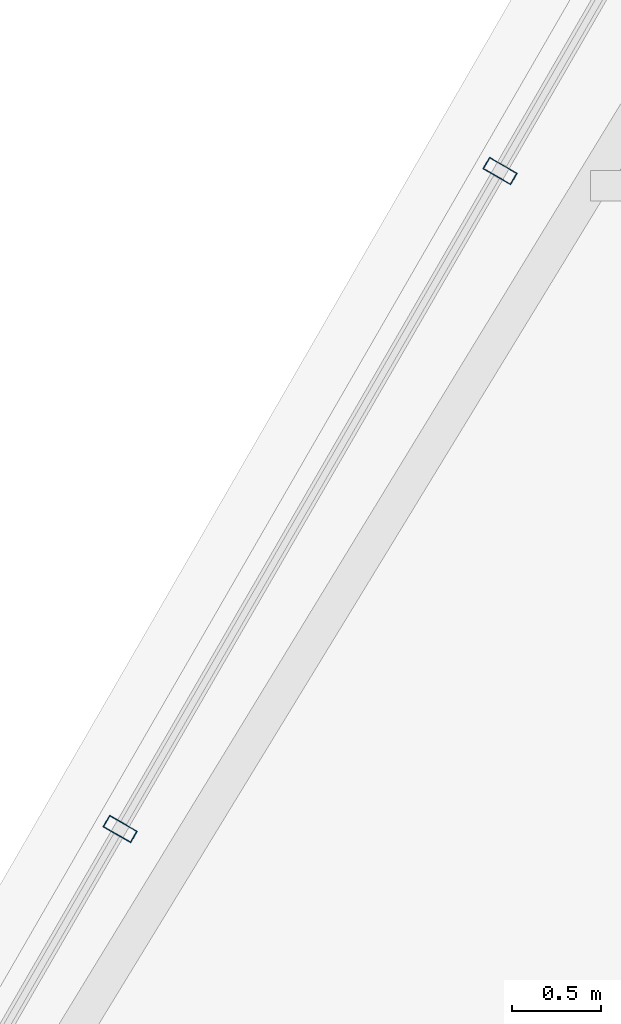
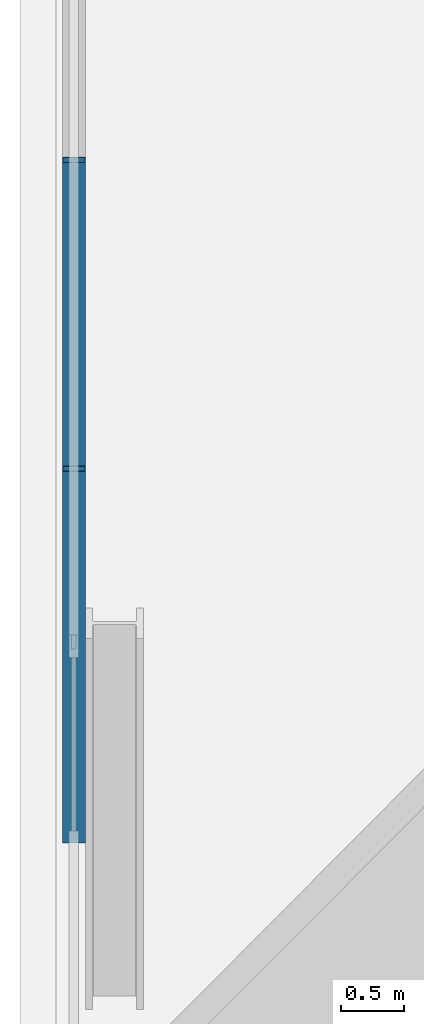
# One storey, part 12 of 34: 2 members, 1 element without a shape of its own.
"""IFC4 building model written with IfcOpenShell, lengths in metres."""

from ifc_helpers import new_model, si_unit, direction, frame, origin, origin_2d, place, context, subcontext, project, spatial, hollow_rectangle, extrude, material, layer, layer_set, material_profile, profile_set, type_object, element, aggregate, save


model = new_model("IFC4")

# Units and contexts
model_context = context("Model", 3, precision=1e-05, world=origin(), true_north=direction((0.0, 1.0)))
body_context = subcontext(model_context, "Body", "Model", "MODEL_VIEW")
ifc_project = project(units=[si_unit("LENGTHUNIT", "METRE"), si_unit("AREAUNIT", "SQUARE_METRE"), si_unit("VOLUMEUNIT", "CUBIC_METRE"), si_unit("PLANEANGLEUNIT", "RADIAN"), si_unit("MASSUNIT", "GRAM", prefix="KILO")], contexts=[model_context])

# Site, building, storey
site_placement = place(None, origin())
site = spatial("IfcSite", under=ifc_project, at=site_placement, CompositionType="ELEMENT")
building_placement = place(site_placement, origin())
building = spatial("IfcBuilding", under=site, at=building_placement, Name="Ndaravel Arena Tower", CompositionType="ELEMENT")
storey_placement = place(building_placement, frame((0.0, 0.0, 191.60009765625)))
storey = spatial("IfcBuildingStorey", under=building, at=storey_placement, Name="L46", CompositionType="ELEMENT", Elevation=191.60009765625)

# Curtain wall, members
ifc_material_1 = material(Name="Aluminium", Category="aluminium")
ifc_layer = layer(ifc_material_1, 0.179931640625)
ifc_layer_set = layer_set([ifc_layer], Name="Aluminium")
curtain_wall_type = type_object("IfcCurtainWallType", Name="CW-SYS-03", PredefinedType="NOTDEFINED", material=ifc_layer_set)
curtain_wall_placement = place(storey_placement, origin())
curtain_wall = element("IfcCurtainWall", 1, at=curtain_wall_placement, inside=storey, type_object=curtain_wall_type, Name="L46 Faceted Crystal Curtain Wall CW-L46-E05", PredefinedType="NOTDEFINED")
ifc_material_2 = material(Name="Aluminium", Category="aluminium")
ifc_material_profile = material_profile(ifc_material_2, hollow_rectangle(XDim=0.074951171875, YDim=0.179931640625, WallThickness=0.00390625, at=origin_2d()), Name="CW MULLION 75x180x4")
ifc_profile_set = profile_set([ifc_material_profile], Name="Aluminium")
member_type = type_object("IfcMemberType", Name="MEM-CW-MUL180", PredefinedType="MULLION", material=ifc_profile_set)
member_1_placement = place(storey_placement, frame((31.100830078125, 35.08203125, 0.0), z_axis=(0.0, 0.0, 1.0), x_axis=(-0.5, -0.866025403784, 0.0)))
member_1 = element("IfcMember", 2, at=member_1_placement, type_object=member_type, Name="CW-L46-E05 Mullion 03", PredefinedType="MULLION", context=body_context, shape_type="SweptSolid", body=[
    extrude(hollow_rectangle(XDim=0.074951171875, YDim=0.179931640625, WallThickness=0.00390625, at=origin_2d()), origin(), (0.0, 0.0, 1.0), 3.579833984375),
])
member_2_placement = place(storey_placement, frame((28.975341796875, 31.400634765625, 0.0), z_axis=(0.0, 0.0, 1.0), x_axis=(-0.5, -0.866025403784, 0.0)))
member_2 = element("IfcMember", 3, at=member_2_placement, type_object=member_type, Name="CW-L46-E05 Mullion 04", PredefinedType="MULLION", context=body_context, shape_type="SweptSolid", body=[
    extrude(hollow_rectangle(XDim=0.074951171875, YDim=0.179931640625, WallThickness=0.00390625, at=origin_2d()), origin(), (0.0, 0.0, 1.0), 3.579833984375),
])
aggregate(curtain_wall, [member_1, member_2])

save(model, "model.ifc")
